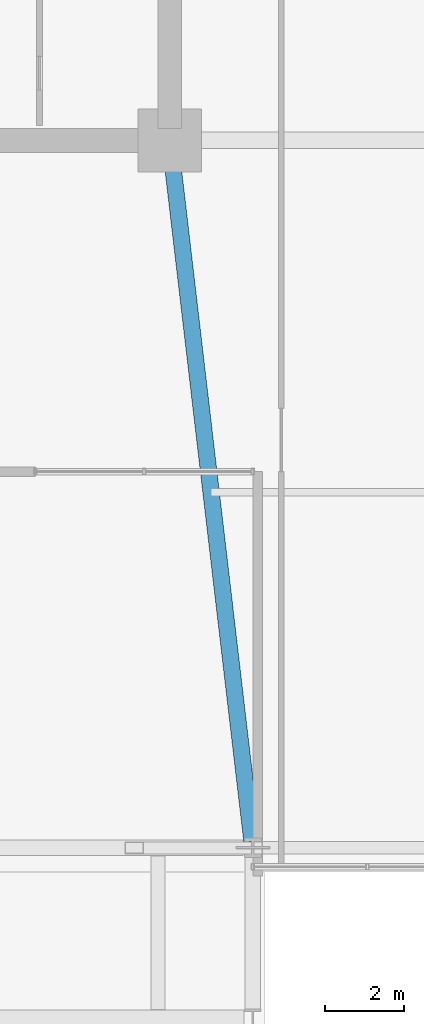
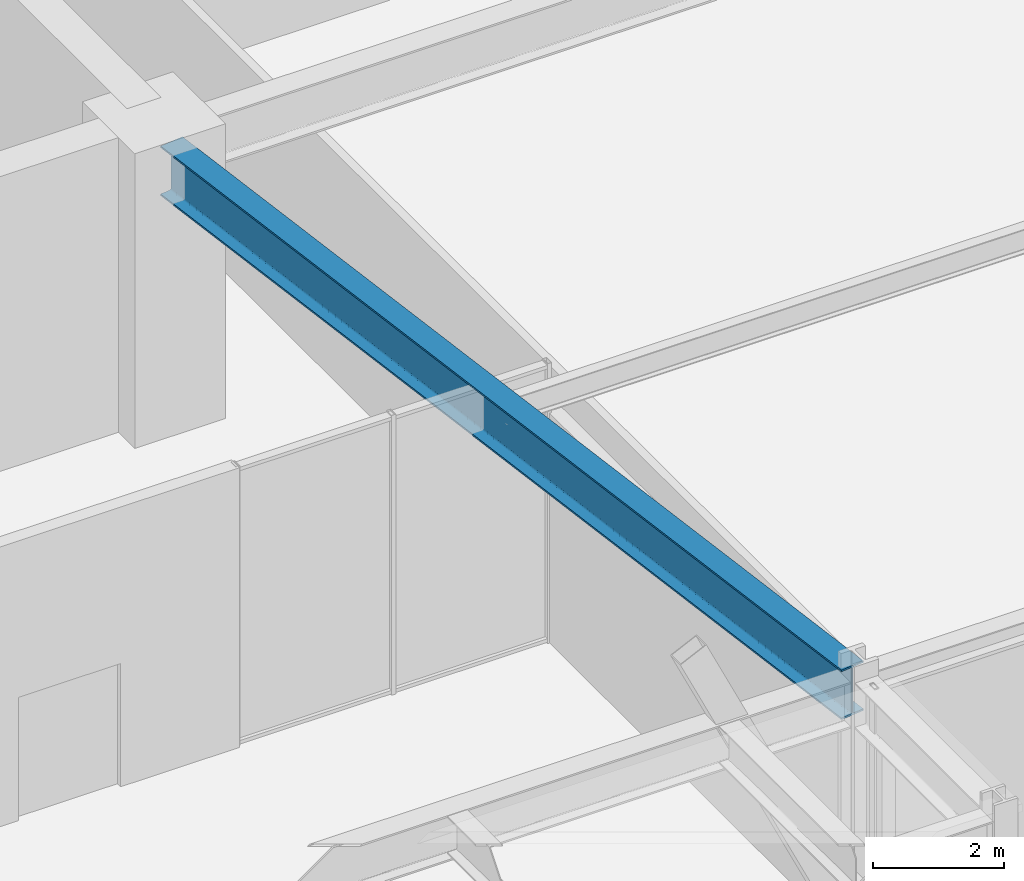
# One storey, part 11 of 24: 1 beam.
"""IFC4 building model written with IfcOpenShell, lengths in metres."""

import ifcopenshell
import ifcopenshell.guid

model = None  # the IFC model being written
_history = None  # IfcOwnerHistory: only IFC2X3 demands one
_inside = {}  # id of a spatial element -> (the spatial element, [elements in it])
_under = {}  # id of a project, library or spatial element -> (it, [spatial elements below it])
_declared = {}  # id of a project -> (the project, [libraries it declares])
_typed = {}  # id of a type object -> (the type object, [elements of that type])
_made_of = {}  # id of a material, layer set ... -> (it, [elements and type objects made of it])


def new_model(schema):
    """Start an empty IFC model of exactly this schema.

    Asked for "IFC4X3", IfcOpenShell would pick the latest addendum, in which some entities
    have other attributes; the version numbers below select the first issue.
    IFC2X3 requires an IfcOwnerHistory on every rooted entity: one is made here for all.
    """
    global model, _history
    if schema == "IFC4X3":
        model = ifcopenshell.file(schema_version=(4, 3, 0, 0))
    else:
        model = ifcopenshell.file(schema=schema)
    _inside.clear()
    _under.clear()
    _declared.clear()
    _typed.clear()
    _made_of.clear()
    _history = None
    if model.schema == "IFC2X3":
        org = make("IfcOrganization", Name="unknown")
        user = make(
            "IfcPersonAndOrganization",
            ThePerson=make("IfcPerson", FamilyName="unknown"),
            TheOrganization=org,
        )
        app = make(
            "IfcApplication",
            ApplicationDeveloper=org,
            Version="unknown",
            ApplicationFullName="unknown",
            ApplicationIdentifier="unknown",
        )
        _history = make(
            "IfcOwnerHistory",
            OwningUser=user,
            OwningApplication=app,
            ChangeAction="ADDED",
            CreationDate=0,
        )
    return model


def make(cls, **values):
    """One entity of the class cls with the attributes given. An attribute that is None is left unset."""
    return model.create_entity(
        cls, **{name: value for name, value in values.items() if value is not None}
    )


def rooted(cls, **values):
    """An entity with a GlobalId (a new one), such as an element, a storey or a relation."""
    return make(cls, GlobalId=ifcopenshell.guid.new(), OwnerHistory=_history, **values)


def si_unit(unit_type, name, prefix=None):
    """IfcSIUnit, for example si_unit("LENGTHUNIT", "METRE", prefix="MILLI")."""
    return make("IfcSIUnit", UnitType=unit_type, Prefix=prefix, Name=name)


def assignment(units):
    """IfcUnitAssignment: the units of a project."""
    return None if units is None else make("IfcUnitAssignment", Units=units)


def point(xyz):
    """IfcCartesianPoint."""
    return None if xyz is None else make("IfcCartesianPoint", Coordinates=xyz)


def direction(xyz):
    """IfcDirection."""
    return None if xyz is None else make("IfcDirection", DirectionRatios=xyz)


def frame(location, z_axis=None, x_axis=None):
    """IfcAxis2Placement3D, a coordinate frame: its origin and axes. An axis left out is left unset."""
    return make(
        "IfcAxis2Placement3D",
        Location=point(location),
        Axis=direction(z_axis),
        RefDirection=direction(x_axis),
    )


def frame_2d(location, x_axis=None):
    """IfcAxis2Placement2D, a coordinate frame in the plane: its origin and x axis."""
    return make(
        "IfcAxis2Placement2D", Location=point(location), RefDirection=direction(x_axis)
    )


def origin():
    """The frame at (0, 0, 0) with its axes left unset."""
    return frame((0.0, 0.0, 0.0))


def origin_2d():
    """The frame at (0, 0) in the plane with its x axis left unset."""
    return frame_2d((0.0, 0.0))


def place(relative_to, where):
    """IfcLocalPlacement: puts the frame where relative to a parent placement (None: the world)."""
    return make(
        "IfcLocalPlacement", PlacementRelTo=relative_to, RelativePlacement=where
    )


def context(
    kind, dimensions, precision=None, world=None, true_north=None, identifier=None
):
    """IfcGeometricRepresentationContext, for example the 3D "Model" context."""
    return make(
        "IfcGeometricRepresentationContext",
        ContextIdentifier=identifier,
        ContextType=kind,
        CoordinateSpaceDimension=dimensions,
        Precision=precision,
        WorldCoordinateSystem=world,
        TrueNorth=true_north,
    )


def subcontext(parent, identifier, kind, view, scale=None):
    """IfcGeometricRepresentationSubContext, for example "Body" below "Model"."""
    return make(
        "IfcGeometricRepresentationSubContext",
        ContextIdentifier=identifier,
        ContextType=kind,
        ParentContext=parent,
        TargetScale=scale,
        TargetView=view,
    )


def project(units=None, contexts=None):
    """IfcProject with its units and contexts."""
    return rooted(
        "IfcProject",
        Name="project",
        RepresentationContexts=contexts,
        UnitsInContext=assignment(units),
    )


def spatial(cls, under=None, at=None, **own):
    """A site, building, storey or space (cls), placed at a placement, below another one or the project."""
    s = rooted(cls, ObjectPlacement=at, **own)
    if under is not None:
        _under.setdefault(under.id(), (under, []))[1].append(s)
    return s


def profile(cls, at=None, kind="AREA", **sizes):
    """A parametric profile (cls). Its sizes go by their IFC names, for example OverallWidth=200.0."""
    return make(cls, ProfileType=kind, Position=at, **sizes)


def i_section(**sizes):
    """IfcIShapeProfileDef."""
    return profile("IfcIShapeProfileDef", **sizes)


def extrude(swept, where, along, depth):
    """IfcExtrudedAreaSolid: the profile swept, set in the frame where, extruded along a direction by depth."""
    return make(
        "IfcExtrudedAreaSolid",
        SweptArea=swept,
        Position=where,
        ExtrudedDirection=direction(along),
        Depth=depth,
    )


def shape(context_of_items, identifier, shape_type, items):
    """IfcShapeRepresentation: the items that make up one representation, for example the "Body"."""
    return make(
        "IfcShapeRepresentation",
        ContextOfItems=context_of_items,
        RepresentationIdentifier=identifier,
        RepresentationType=shape_type,
        Items=items,
    )


def material(Name=None, Category=None):
    """IfcMaterial."""
    return make("IfcMaterial", Name=Name, Category=Category)


def material_profile(
    of_material, cross_section, Name=None, Category=None, Priority=None
):
    """IfcMaterialProfile: a cross section and its material."""
    return make(
        "IfcMaterialProfile",
        Name=Name,
        Material=of_material,
        Profile=cross_section,
        Priority=Priority,
        Category=Category,
    )


def profile_set(profiles, Name=None, composite=None):
    """IfcMaterialProfileSet."""
    return make(
        "IfcMaterialProfileSet",
        Name=Name,
        MaterialProfiles=profiles,
        CompositeProfile=composite,
    )


def made_of(thing, what):
    """Note that an element or type object is made of a material, layer set ...; save() writes the relation."""
    if what is not None:
        _made_of.setdefault(what.id(), (what, []))[1].append(thing)
    return thing


def type_object(cls, material=None, **own):
    """A type object (cls), such as IfcWallType, which elements share."""
    return made_of(rooted(cls, **own), material)


def element(
    cls,
    number,
    at=None,
    inside=None,
    cuts=None,
    type_object=None,
    material=None,
    context=None,
    identifier="Body",
    shape_type=None,
    held_by="IfcProductDefinitionShape",
    body=None,
    shapes=None,
    **own,
):
    """One element of the class cls, such as IfcWall. Its Tag is "e" and its number.

    at: its placement. inside: the storey or other place that contains it. cuts: it is an
    opening in that element (IfcRelVoidsElement). A single representation is given by context,
    identifier, shape_type and body (its items); several are given by shapes. held_by: the class
    of the entity that holds the representations. save() writes the other relations.
    """
    e = rooted(cls, Tag="e%d" % number, ObjectPlacement=at, **own)
    if body is not None:
        shapes = [shape(context, identifier, shape_type, body)]
    if shapes is not None:
        e.Representation = make(held_by, Representations=shapes)
    if inside is not None:
        _inside.setdefault(inside.id(), (inside, []))[1].append(e)
    if cuts is not None:
        rooted(
            "IfcRelVoidsElement", RelatingBuildingElement=cuts, RelatedOpeningElement=e
        )
    if type_object is not None:
        _typed.setdefault(type_object.id(), (type_object, []))[1].append(e)
    return made_of(e, material)


def aggregate(whole, parts):
    """IfcRelAggregates: a whole, such as a stair, and the parts it consists of."""
    return rooted("IfcRelAggregates", RelatingObject=whole, RelatedObjects=parts)


def save(model, path):
    """Write the relations noted so far, then the file.

    IfcRelAggregates (storeys below a building ...), IfcRelContainedInSpatialStructure (elements
    in a storey), IfcRelDefinesByType, IfcRelAssociatesMaterial and IfcRelDeclares: one each for
    every whole, place, type object, material and project.
    """
    for whole, parts in _under.values():
        aggregate(whole, parts)
    for where, things in _inside.values():
        rooted(
            "IfcRelContainedInSpatialStructure",
            RelatedElements=things,
            RelatingStructure=where,
        )
    for kind, things in _typed.values():
        rooted("IfcRelDefinesByType", RelatedObjects=things, RelatingType=kind)
    for what, things in _made_of.values():
        rooted("IfcRelAssociatesMaterial", RelatedObjects=things, RelatingMaterial=what)
    for by, libraries in _declared.values():
        rooted("IfcRelDeclares", RelatingContext=by, RelatedDefinitions=libraries)
    model.write(path)


model = new_model("IFC4")

# Units and contexts
model_context = context("Model", 3, precision=1e-05, world=origin(), true_north=direction((0.0, 1.0)))
body_context = subcontext(model_context, "Body", "Model", "MODEL_VIEW")
ifc_project = project(units=[si_unit("LENGTHUNIT", "METRE"), si_unit("AREAUNIT", "SQUARE_METRE"), si_unit("VOLUMEUNIT", "CUBIC_METRE"), si_unit("PLANEANGLEUNIT", "RADIAN"), si_unit("MASSUNIT", "GRAM", prefix="KILO")], contexts=[model_context])

# Site, building, storey
site_placement = place(None, origin())
site = spatial("IfcSite", under=ifc_project, at=site_placement, CompositionType="ELEMENT")
building_placement = place(site_placement, origin())
building = spatial("IfcBuilding", under=site, at=building_placement, Name="Kolvaren Belvedere", CompositionType="ELEMENT")
storey_placement = place(building_placement, origin())
storey = spatial("IfcBuildingStorey", under=building, at=storey_placement, Name="L01", CompositionType="ELEMENT", Elevation=0.0)

# Beam
ifc_material = material(Name="Structural steel ASTM A992 Grade 50", Category="steel")
ifc_material_profile = material_profile(ifc_material, i_section(OverallWidth=0.41796875, OverallDepth=0.927001953125, WebThickness=0.019287109375, FlangeThickness=0.031982421875, FilletRadius=0.028076171875, at=origin_2d()), Name="W36X231")
ifc_profile_set = profile_set([ifc_material_profile], Name="Structural steel ASTM A992 Grade 50")
beam_type = type_object("IfcBeamType", Name="BM-GIRD-W36X231", PredefinedType="BEAM", material=ifc_profile_set)
beam_placement = place(storey_placement, frame((9.952392578125, -10.346923828125, 4.756591796875), z_axis=(0.116516841483, -0.993188716031, 0.0), x_axis=(0.993188716031, 0.116516841483, 0.0)))
element("IfcBeam", 1, at=beam_placement, inside=storey, type_object=beam_type, Name="L01 South-East Portal Girder", PredefinedType="BEAM", context=body_context, shape_type="SweptSolid", body=[
    extrude(i_section(OverallWidth=0.41796875, OverallDepth=0.927001953125, WebThickness=0.019287109375, FlangeThickness=0.031982421875, FilletRadius=0.028076171875, at=origin_2d()), origin(), (0.0, 0.0, 1.0), 17.422607421875),
])

save(model, "model.ifc")
